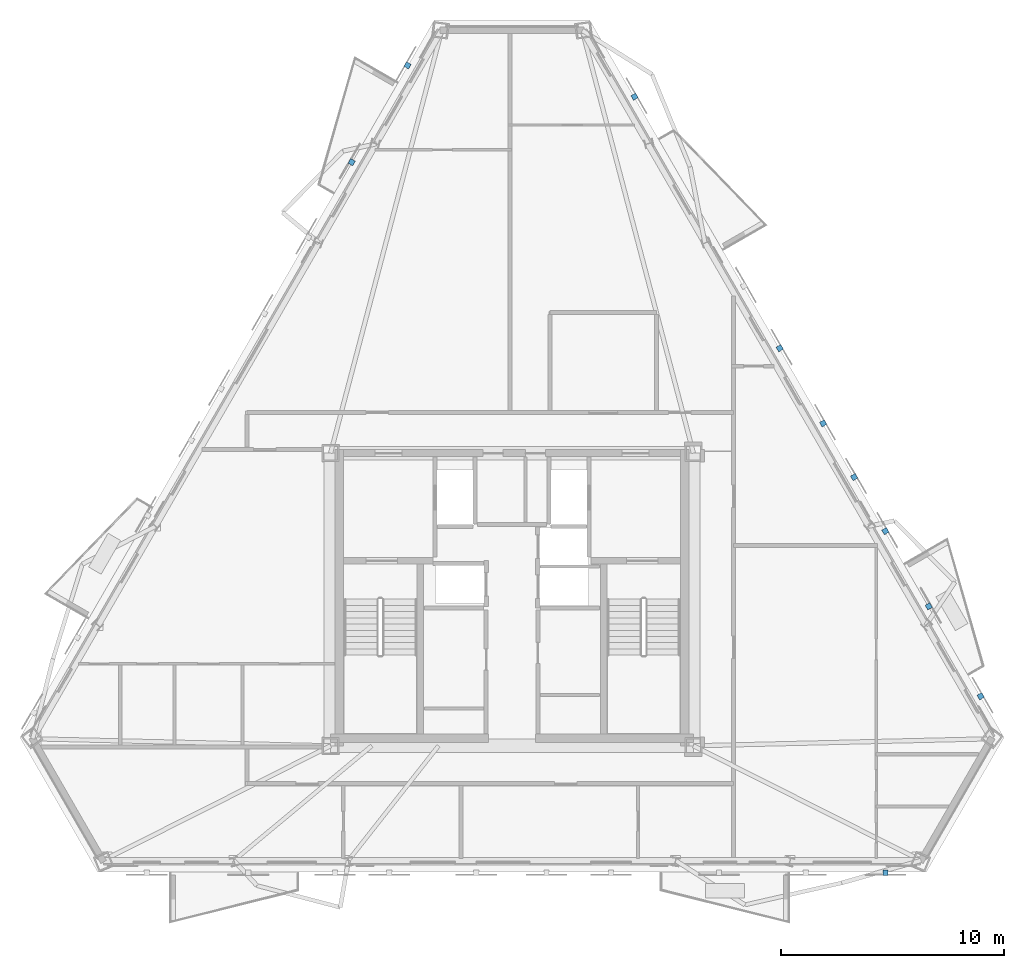
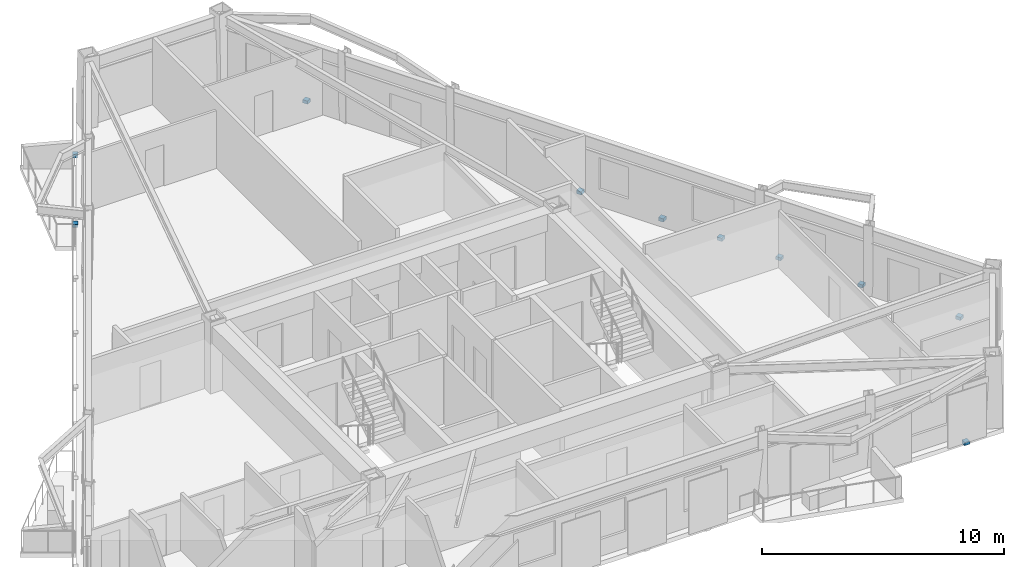
# One storey, part 6 of 9: 10 discrete accessories.
"""IFC4 building model written with IfcOpenShell, lengths in metres."""

from ifc_helpers import new_model, si_unit, direction, frame, origin, origin_2d, place, context, subcontext, project, spatial, rectangle, extrude, element, save


model = new_model("IFC4")

# Units and contexts
model_context = context("Model", 3, precision=1e-05, world=origin(), true_north=direction((0.0, 1.0)))
body_context = subcontext(model_context, "Body", "Model", "MODEL_VIEW")
ifc_project = project(units=[si_unit("LENGTHUNIT", "METRE"), si_unit("AREAUNIT", "SQUARE_METRE"), si_unit("VOLUMEUNIT", "CUBIC_METRE"), si_unit("PLANEANGLEUNIT", "RADIAN"), si_unit("MASSUNIT", "GRAM", prefix="KILO")], contexts=[model_context])

# Site, building, storey
site_placement = place(None, origin())
site = spatial("IfcSite", under=ifc_project, at=site_placement, CompositionType="ELEMENT")
building_placement = place(site_placement, origin())
building = spatial("IfcBuilding", under=site, at=building_placement, Name="Oramaril Tower", CompositionType="ELEMENT")
storey_placement = place(building_placement, frame((0.0, 0.0, 223.5)))
storey = spatial("IfcBuildingStorey", under=building, at=storey_placement, Name="L59", CompositionType="ELEMENT", Elevation=223.5)

# Discrete accessories
for number, where, z_axis, x_axis, name in (
    (1, (54.28076171875, 5.303955078125, -0.14013671875), (0.0, 0.0, 1.0), (1.0, 0.0, 0.0), "L59 Solar Screen Slab Bracket"),
    (2, (56.221923828125, 17.2646484375, -0.14013671875), (0.0, 0.0, 1.0), (-0.5, 0.866025403784, 0.0), "L59 Solar Screen Slab Bracket"),
    (3, (54.27197265625, 20.64208984375, -0.14013671875), (0.0, 0.0, 1.0), (-0.5, 0.866025403784, 0.0), "L59 Solar Screen Slab Bracket"),
    (4, (58.552734375, 13.227294921875, -0.14013671875), (0.0, 0.0, 1.0), (-0.5, 0.866025403784, 0.0), "L59 Solar Screen Slab Bracket"),
    (5, (52.869873046875, 23.07080078125, -0.14013671875), (0.0, 0.0, 1.0), (-0.5, 0.866025403784, 0.0), "L59 Solar Screen Slab Bracket"),
    (6, (51.4765625, 25.48388671875, -0.14013671875), (0.0, 0.0, 1.0), (-0.5, 0.866025403784, 0.0), "L59 Solar Screen Slab Bracket"),
    (7, (49.526611328125, 28.861328125, -0.14013671875), (0.0, 0.0, 1.0), (-0.5, 0.866025403784, 0.0), "L59 Solar Screen Slab Bracket"),
    (8, (43.004638671875, 40.15771484375, -0.14013671875), (0.0, 0.0, 1.0), (-0.5, 0.866025403784, 0.0), "L59 Solar Screen Slab Bracket"),
    (9, (30.298583984375, 37.218505859375, -0.14013671875), (0.0, 0.0, 1.0), (-0.5, -0.866025403784, 0.0), "L59 Solar Screen Slab Bracket"),
    (10, (32.80859375, 41.56640625, -0.14013671875), (0.0, 0.0, 1.0), (-0.5, -0.866025403784, 0.0), "L59 Solar Screen Slab Bracket"),
):
    element("IfcDiscreteAccessory", number, at=place(storey_placement, frame(where, z_axis=z_axis, x_axis=x_axis)), inside=storey, Name=name, PredefinedType="BRACKET", context=body_context, shape_type="SweptSolid", body=[
        extrude(rectangle(XDim=0.239990234375, YDim=0.239990234375, at=origin_2d()), origin(), (0.0, 0.0, 1.0), 0.159912109375),
    ])

save(model, "model.ifc")
